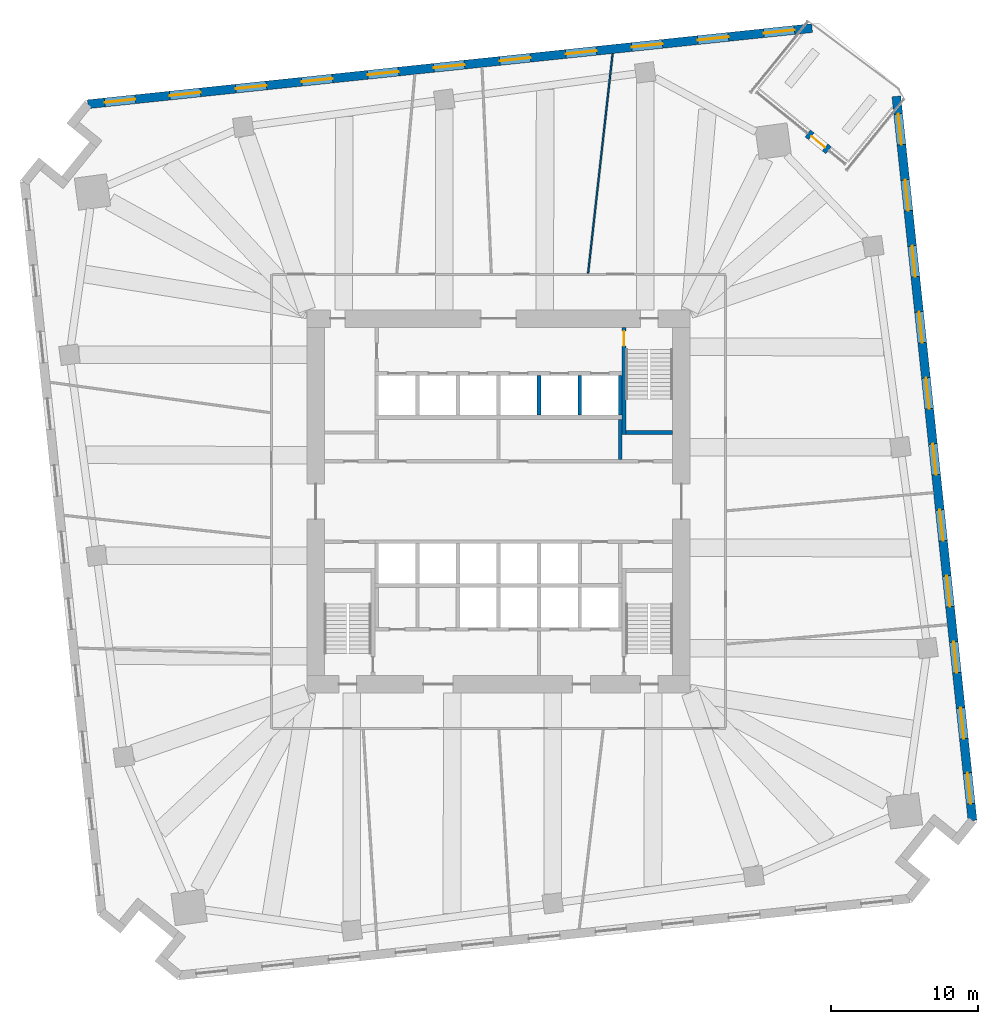
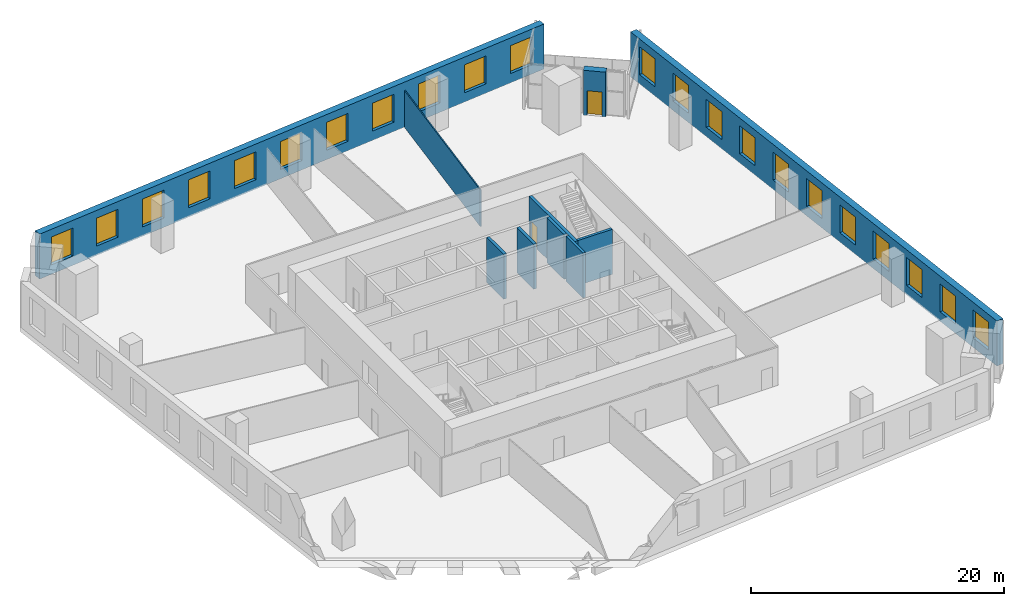
# One storey, part 7 of 10: 22 windows, 10 walls, 2 doors, 24 openings.
"""IFC4 building model written with IfcOpenShell, lengths in metres."""

from ifc_helpers import new_model, si_unit, direction, frame, frame_2d, origin, place, context, subcontext, project, spatial, rectangle, extrude, material, layer, layer_set, type_object, element, fill, save


model = new_model("IFC4")

# Units and contexts
model_context = context("Model", 3, precision=1e-05, world=origin(), true_north=direction((0.0, 1.0)))
body_context = subcontext(model_context, "Body", "Model", "MODEL_VIEW")
ifc_project = project(units=[si_unit("LENGTHUNIT", "METRE"), si_unit("AREAUNIT", "SQUARE_METRE"), si_unit("VOLUMEUNIT", "CUBIC_METRE"), si_unit("PLANEANGLEUNIT", "RADIAN"), si_unit("MASSUNIT", "GRAM", prefix="KILO")], contexts=[model_context])

# Site, building, storey
site_placement = place(None, origin())
site = spatial("IfcSite", under=ifc_project, at=site_placement, CompositionType="ELEMENT")
building_placement = place(site_placement, origin())
building = spatial("IfcBuilding", under=site, at=building_placement, Name="Dilmun Exchange Tower", CompositionType="ELEMENT")
storey_placement = place(building_placement, frame((0.0, 0.0, 41.699951171875)))
storey = spatial("IfcBuildingStorey", under=building, at=storey_placement, Name="L09", CompositionType="ELEMENT", Elevation=41.699951171875)

# Walls
ifc_material_1 = material(Name="Concrete C40/50", Category="concrete")
ifc_layer_1 = layer(ifc_material_1, 0.25)
ifc_layer_set_1 = layer_set([ifc_layer_1], Name="Concrete C40/50")
wall_type_1 = type_object("IfcWallType", Name="Core partition wall 250", PredefinedType="PARTITIONING", material=ifc_layer_set_1)
wall_1_placement = place(storey_placement, frame((8.25, 2.85498046875, 0.0), z_axis=(0.0, 0.0, 1.0), x_axis=(0.0, 1.0, 0.0)))
element("IfcWall", 1, at=wall_1_placement, inside=storey, type_object=wall_type_1, Name="L09 core partition wall 11", PredefinedType="PARTITIONING", context=body_context, shape_type="SweptSolid", body=[
    extrude(rectangle(XDim=2.68994140625, YDim=0.25, at=frame_2d((1.344970703125, 0.0))), origin(), (0.0, 0.0, 1.0), 4.35009765625),
])
ifc_layer_2 = layer(ifc_material_1, 0.25)
ifc_layer_set_2 = layer_set([ifc_layer_2], Name="Concrete C40/50")
wall_type_2 = type_object("IfcWallType", Name="Lift shaft wall 250", PredefinedType="SOLIDWALL", material=ifc_layer_set_2)
for number, where, z_axis, x_axis, name in (
    (2, (2.75, 5.85009765625, 0.0), (0.0, 0.0, 1.0), (0.0, 1.0, 0.0), "L09 lift shaft divider N24"),
    (3, (5.5, 5.85009765625, 0.0), (0.0, 0.0, 1.0), (0.0, 1.0, 0.0), "L09 lift shaft divider N25"),
    (4, (8.25, 5.85009765625, 0.0), (0.0, 0.0, 1.0), (0.0, 1.0, 0.0), "L09 lift shaft divider N26"),
):
    element("IfcWall", number, at=place(storey_placement, frame(where, z_axis=z_axis, x_axis=x_axis)), inside=storey, type_object=wall_type_2, Name=name, PredefinedType="SOLIDWALL", context=body_context, shape_type="SweptSolid", body=[
        extrude(rectangle(XDim=2.699951171875, YDim=0.25, at=frame_2d((1.35009765625, 0.0))), origin(), (0.0, 0.0, 1.0), 4.35009765625),
    ])
ifc_material_2 = material(Name="Partition 100")
ifc_layer_3 = layer(ifc_material_2, 0.10009765625)
ifc_layer_set_3 = layer_set([ifc_layer_3], Name="Partition 100")
wall_type_3 = type_object("IfcWallType", Name="Partition 100", PredefinedType="PARTITIONING", material=ifc_layer_set_3)
wall_2_placement = place(storey_placement, frame((6.073974609375, 15.48046875, 0.0), z_axis=(0.0, 0.0, 1.0), x_axis=(0.110950080777, 0.99382598053, 0.0)))
element("IfcWall", 5, at=wall_2_placement, inside=storey, type_object=wall_type_3, Name="Partition", PredefinedType="PARTITIONING", context=body_context, shape_type="SweptSolid", body=[
    extrude(rectangle(XDim=14.985107421875, YDim=0.10009765625, at=frame_2d((7.49267578125, 0.0))), origin(), (0.0, 0.0, 1.0), 3.550048828125),
])

# Wall, openings, windows
ifc_material_3 = material(Name="Precast concrete C50/60", Category="concrete")
ifc_layer_4 = layer(ifc_material_3, 0.60009765625)
ifc_layer_set_4 = layer_set([ifc_layer_4], Name="Precast concrete C50/60")
wall_type_4 = type_object("IfcWallType", Name="Precast stone-clad wall 600", PredefinedType="STANDARD", material=ifc_layer_set_4)
wall_3_placement = place(storey_placement, frame((21.26123046875, 32.09814453125, 0.0), z_axis=(0.0, 0.0, 1.0), x_axis=(-0.994521967515, -0.104527776833, 0.0)))
wall_3 = element("IfcWall", 6, at=wall_3_placement, inside=storey, type_object=wall_type_4, Name="Facade wall L09-03", PredefinedType="STANDARD", context=body_context, shape_type="SweptSolid", body=[
    extrude(rectangle(XDim=49.375732421875, YDim=0.60009765625, at=frame_2d((24.68798828125, 0.0))), origin(), (0.0, 0.0, 1.0), 4.35009765625),
])
opening_1_placement = place(wall_3_placement, frame((1.199951171875, 0.0, 0.89990234375)))
opening_1 = element("IfcOpeningElement", 7, at=opening_1_placement, cuts=wall_3, Name="Opening W210-270", PredefinedType="OPENING", context=body_context, shape_type="SweptSolid", body=[
    extrude(rectangle(XDim=2.10009765625, YDim=2.699951171875, at=frame_2d((1.050048828125, 1.35009765625))), frame((0.0, 0.31005859375, 0.0), z_axis=(0.0, -1.0, 0.0), x_axis=(1.0, 0.0, 0.0)), (0.0, 0.0, 1.0), 0.6201171875),
])
opening_2_placement = place(wall_3_placement, frame((5.699951171875, 0.0, 0.89990234375)))
opening_2 = element("IfcOpeningElement", 8, at=opening_2_placement, cuts=wall_3, Name="Opening W210-270", PredefinedType="OPENING", context=body_context, shape_type="SweptSolid", body=[
    extrude(rectangle(XDim=2.10009765625, YDim=2.699951171875, at=frame_2d((1.050048828125, 1.35009765625))), frame((0.0, 0.31005859375, 0.0), z_axis=(0.0, -1.0, 0.0), x_axis=(1.0, 0.0, 0.0)), (0.0, 0.0, 1.0), 0.6201171875),
])
opening_3_placement = place(wall_3_placement, frame((10.199951171875, 0.0, 0.89990234375)))
opening_3 = element("IfcOpeningElement", 9, at=opening_3_placement, cuts=wall_3, Name="Opening W210-270", PredefinedType="OPENING", context=body_context, shape_type="SweptSolid", body=[
    extrude(rectangle(XDim=2.10009765625, YDim=2.699951171875, at=frame_2d((1.050048828125, 1.35009765625))), frame((0.0, 0.31005859375, 0.0), z_axis=(0.0, -1.0, 0.0), x_axis=(1.0, 0.0, 0.0)), (0.0, 0.0, 1.0), 0.6201171875),
])
opening_4_placement = place(wall_3_placement, frame((14.699951171875, 0.0, 0.89990234375)))
opening_4 = element("IfcOpeningElement", 10, at=opening_4_placement, cuts=wall_3, Name="Opening W210-270", PredefinedType="OPENING", context=body_context, shape_type="SweptSolid", body=[
    extrude(rectangle(XDim=2.10009765625, YDim=2.699951171875, at=frame_2d((1.050048828125, 1.35009765625))), frame((0.0, 0.31005859375, 0.0), z_axis=(0.0, -1.0, 0.0), x_axis=(1.0, 0.0, 0.0)), (0.0, 0.0, 1.0), 0.6201171875),
])
opening_5_placement = place(wall_3_placement, frame((19.199951171875, 0.0, 0.89990234375)))
opening_5 = element("IfcOpeningElement", 11, at=opening_5_placement, cuts=wall_3, Name="Opening W210-270", PredefinedType="OPENING", context=body_context, shape_type="SweptSolid", body=[
    extrude(rectangle(XDim=2.10009765625, YDim=2.699951171875, at=frame_2d((1.050048828125, 1.35009765625))), frame((0.0, 0.31005859375, 0.0), z_axis=(0.0, -1.0, 0.0), x_axis=(1.0, 0.0, 0.0)), (0.0, 0.0, 1.0), 0.6201171875),
])
opening_6_placement = place(wall_3_placement, frame((23.699951171875, 0.0, 0.89990234375)))
opening_6 = element("IfcOpeningElement", 12, at=opening_6_placement, cuts=wall_3, Name="Opening W210-270", PredefinedType="OPENING", context=body_context, shape_type="SweptSolid", body=[
    extrude(rectangle(XDim=2.10009765625, YDim=2.699951171875, at=frame_2d((1.050048828125, 1.35009765625))), frame((0.0, 0.31005859375, 0.0), z_axis=(0.0, -1.0, 0.0), x_axis=(1.0, 0.0, 0.0)), (0.0, 0.0, 1.0), 0.6201171875),
])
opening_7_placement = place(wall_3_placement, frame((28.199951171875, 0.0, 0.89990234375)))
opening_7 = element("IfcOpeningElement", 13, at=opening_7_placement, cuts=wall_3, Name="Opening W210-270", PredefinedType="OPENING", context=body_context, shape_type="SweptSolid", body=[
    extrude(rectangle(XDim=2.10009765625, YDim=2.699951171875, at=frame_2d((1.050048828125, 1.35009765625))), frame((0.0, 0.31005859375, 0.0), z_axis=(0.0, -1.0, 0.0), x_axis=(1.0, 0.0, 0.0)), (0.0, 0.0, 1.0), 0.6201171875),
])
opening_8_placement = place(wall_3_placement, frame((32.699951171875, 0.0, 0.89990234375)))
opening_8 = element("IfcOpeningElement", 14, at=opening_8_placement, cuts=wall_3, Name="Opening W210-270", PredefinedType="OPENING", context=body_context, shape_type="SweptSolid", body=[
    extrude(rectangle(XDim=2.10009765625, YDim=2.699951171875, at=frame_2d((1.050048828125, 1.35009765625))), frame((0.0, 0.31005859375, 0.0), z_axis=(0.0, -1.0, 0.0), x_axis=(1.0, 0.0, 0.0)), (0.0, 0.0, 1.0), 0.6201171875),
])
opening_9_placement = place(wall_3_placement, frame((37.199951171875, 0.0, 0.89990234375)))
opening_9 = element("IfcOpeningElement", 15, at=opening_9_placement, cuts=wall_3, Name="Opening W210-270", PredefinedType="OPENING", context=body_context, shape_type="SweptSolid", body=[
    extrude(rectangle(XDim=2.10009765625, YDim=2.699951171875, at=frame_2d((1.050048828125, 1.35009765625))), frame((0.0, 0.31005859375, 0.0), z_axis=(0.0, -1.0, 0.0), x_axis=(1.0, 0.0, 0.0)), (0.0, 0.0, 1.0), 0.6201171875),
])
opening_10_placement = place(wall_3_placement, frame((41.699951171875, 0.0, 0.89990234375)))
opening_10 = element("IfcOpeningElement", 16, at=opening_10_placement, cuts=wall_3, Name="Opening W210-270", PredefinedType="OPENING", context=body_context, shape_type="SweptSolid", body=[
    extrude(rectangle(XDim=2.10009765625, YDim=2.699951171875, at=frame_2d((1.050048828125, 1.35009765625))), frame((0.0, 0.31005859375, 0.0), z_axis=(0.0, -1.0, 0.0), x_axis=(1.0, 0.0, 0.0)), (0.0, 0.0, 1.0), 0.6201171875),
])
opening_11_placement = place(wall_3_placement, frame((46.137939453125, 0.0, 0.89990234375)))
opening_11 = element("IfcOpeningElement", 17, at=opening_11_placement, cuts=wall_3, Name="Opening W210-270", PredefinedType="OPENING", context=body_context, shape_type="SweptSolid", body=[
    extrude(rectangle(XDim=2.10009765625, YDim=2.699951171875, at=frame_2d((1.050048828125, 1.35009765625))), frame((0.0, 0.31005859375, 0.0), z_axis=(0.0, -1.0, 0.0), x_axis=(1.0, 0.0, 0.0)), (0.0, 0.0, 1.0), 0.6201171875),
])
ifc_material_4 = material(Name="Clear low-emissivity glass in aluminium frame", Category="aluminium")
window_type = type_object("IfcWindowType", Name="Punched window 2100 x 2700", PartitioningType="DOUBLE_PANEL_VERTICAL", PredefinedType="WINDOW", material=ifc_material_4)
window_1_placement = place(opening_1_placement, origin())
window_1 = element("IfcWindow", 18, at=window_1_placement, inside=storey, type_object=window_type, Name="Window 4.1", OverallHeight=2.699951171875, OverallWidth=2.10009765625, PartitioningType="SINGLE_PANEL", PredefinedType="WINDOW", context=body_context, shape_type="SweptSolid", body=[
    extrude(rectangle(XDim=2.10009765625, YDim=2.699951171875, at=frame_2d((1.050048828125, 1.35009765625))), frame((0.0, 0.030029296875, 0.0), z_axis=(0.0, -1.0, 0.0), x_axis=(1.0, 0.0, 0.0)), (0.0, 0.0, 1.0), 0.06005859375),
])
fill(opening_1, window_1)
window_2_placement = place(opening_2_placement, origin())
window_2 = element("IfcWindow", 19, at=window_2_placement, inside=storey, type_object=window_type, Name="Window 4.2", OverallHeight=2.699951171875, OverallWidth=2.10009765625, PartitioningType="SINGLE_PANEL", PredefinedType="WINDOW", context=body_context, shape_type="SweptSolid", body=[
    extrude(rectangle(XDim=2.10009765625, YDim=2.699951171875, at=frame_2d((1.050048828125, 1.35009765625))), frame((0.0, 0.030029296875, 0.0), z_axis=(0.0, -1.0, 0.0), x_axis=(1.0, 0.0, 0.0)), (0.0, 0.0, 1.0), 0.06005859375),
])
fill(opening_2, window_2)
window_3_placement = place(opening_3_placement, origin())
window_3 = element("IfcWindow", 20, at=window_3_placement, inside=storey, type_object=window_type, Name="Window 4.3", OverallHeight=2.699951171875, OverallWidth=2.10009765625, PartitioningType="SINGLE_PANEL", PredefinedType="WINDOW", context=body_context, shape_type="SweptSolid", body=[
    extrude(rectangle(XDim=2.10009765625, YDim=2.699951171875, at=frame_2d((1.050048828125, 1.35009765625))), frame((0.0, 0.030029296875, 0.0), z_axis=(0.0, -1.0, 0.0), x_axis=(1.0, 0.0, 0.0)), (0.0, 0.0, 1.0), 0.06005859375),
])
fill(opening_3, window_3)
window_4_placement = place(opening_4_placement, origin())
window_4 = element("IfcWindow", 21, at=window_4_placement, inside=storey, type_object=window_type, Name="Window 4.4", OverallHeight=2.699951171875, OverallWidth=2.10009765625, PartitioningType="SINGLE_PANEL", PredefinedType="WINDOW", context=body_context, shape_type="SweptSolid", body=[
    extrude(rectangle(XDim=2.10009765625, YDim=2.699951171875, at=frame_2d((1.050048828125, 1.35009765625))), frame((0.0, 0.030029296875, 0.0), z_axis=(0.0, -1.0, 0.0), x_axis=(1.0, 0.0, 0.0)), (0.0, 0.0, 1.0), 0.06005859375),
])
fill(opening_4, window_4)
window_5_placement = place(opening_5_placement, origin())
window_5 = element("IfcWindow", 22, at=window_5_placement, inside=storey, type_object=window_type, Name="Window 4.5", OverallHeight=2.699951171875, OverallWidth=2.10009765625, PartitioningType="SINGLE_PANEL", PredefinedType="WINDOW", context=body_context, shape_type="SweptSolid", body=[
    extrude(rectangle(XDim=2.10009765625, YDim=2.699951171875, at=frame_2d((1.050048828125, 1.35009765625))), frame((0.0, 0.030029296875, 0.0), z_axis=(0.0, -1.0, 0.0), x_axis=(1.0, 0.0, 0.0)), (0.0, 0.0, 1.0), 0.06005859375),
])
fill(opening_5, window_5)
window_6_placement = place(opening_6_placement, origin())
window_6 = element("IfcWindow", 23, at=window_6_placement, inside=storey, type_object=window_type, Name="Window 4.6", OverallHeight=2.699951171875, OverallWidth=2.10009765625, PartitioningType="SINGLE_PANEL", PredefinedType="WINDOW", context=body_context, shape_type="SweptSolid", body=[
    extrude(rectangle(XDim=2.10009765625, YDim=2.699951171875, at=frame_2d((1.050048828125, 1.35009765625))), frame((0.0, 0.030029296875, 0.0), z_axis=(0.0, -1.0, 0.0), x_axis=(1.0, 0.0, 0.0)), (0.0, 0.0, 1.0), 0.06005859375),
])
fill(opening_6, window_6)
window_7_placement = place(opening_7_placement, origin())
window_7 = element("IfcWindow", 24, at=window_7_placement, inside=storey, type_object=window_type, Name="Window 4.7", OverallHeight=2.699951171875, OverallWidth=2.10009765625, PartitioningType="SINGLE_PANEL", PredefinedType="WINDOW", context=body_context, shape_type="SweptSolid", body=[
    extrude(rectangle(XDim=2.10009765625, YDim=2.699951171875, at=frame_2d((1.050048828125, 1.35009765625))), frame((0.0, 0.030029296875, 0.0), z_axis=(0.0, -1.0, 0.0), x_axis=(1.0, 0.0, 0.0)), (0.0, 0.0, 1.0), 0.06005859375),
])
fill(opening_7, window_7)
window_8_placement = place(opening_8_placement, origin())
window_8 = element("IfcWindow", 25, at=window_8_placement, inside=storey, type_object=window_type, Name="Window 4.8", OverallHeight=2.699951171875, OverallWidth=2.10009765625, PartitioningType="SINGLE_PANEL", PredefinedType="WINDOW", context=body_context, shape_type="SweptSolid", body=[
    extrude(rectangle(XDim=2.10009765625, YDim=2.699951171875, at=frame_2d((1.050048828125, 1.35009765625))), frame((0.0, 0.030029296875, 0.0), z_axis=(0.0, -1.0, 0.0), x_axis=(1.0, 0.0, 0.0)), (0.0, 0.0, 1.0), 0.06005859375),
])
fill(opening_8, window_8)
window_9_placement = place(opening_9_placement, origin())
window_9 = element("IfcWindow", 26, at=window_9_placement, inside=storey, type_object=window_type, Name="Window 4.9", OverallHeight=2.699951171875, OverallWidth=2.10009765625, PartitioningType="SINGLE_PANEL", PredefinedType="WINDOW", context=body_context, shape_type="SweptSolid", body=[
    extrude(rectangle(XDim=2.10009765625, YDim=2.699951171875, at=frame_2d((1.050048828125, 1.35009765625))), frame((0.0, 0.030029296875, 0.0), z_axis=(0.0, -1.0, 0.0), x_axis=(1.0, 0.0, 0.0)), (0.0, 0.0, 1.0), 0.06005859375),
])
fill(opening_9, window_9)
window_10_placement = place(opening_10_placement, origin())
window_10 = element("IfcWindow", 27, at=window_10_placement, inside=storey, type_object=window_type, Name="Window 4.10", OverallHeight=2.699951171875, OverallWidth=2.10009765625, PartitioningType="SINGLE_PANEL", PredefinedType="WINDOW", context=body_context, shape_type="SweptSolid", body=[
    extrude(rectangle(XDim=2.10009765625, YDim=2.699951171875, at=frame_2d((1.050048828125, 1.35009765625))), frame((0.0, 0.030029296875, 0.0), z_axis=(0.0, -1.0, 0.0), x_axis=(1.0, 0.0, 0.0)), (0.0, 0.0, 1.0), 0.06005859375),
])
fill(opening_10, window_10)
window_11_placement = place(opening_11_placement, origin())
window_11 = element("IfcWindow", 28, at=window_11_placement, inside=storey, type_object=window_type, Name="Window 4.11", OverallHeight=2.699951171875, OverallWidth=2.10009765625, PartitioningType="SINGLE_PANEL", PredefinedType="WINDOW", context=body_context, shape_type="SweptSolid", body=[
    extrude(rectangle(XDim=2.10009765625, YDim=2.699951171875, at=frame_2d((1.050048828125, 1.35009765625))), frame((0.0, 0.030029296875, 0.0), z_axis=(0.0, -1.0, 0.0), x_axis=(1.0, 0.0, 0.0)), (0.0, 0.0, 1.0), 0.06005859375),
])
fill(opening_11, window_11)

wall_4_placement = place(storey_placement, frame((32.137451171875, -21.635009765625, 0.0), z_axis=(0.0, 0.0, 1.0), x_axis=(-0.104527776833, 0.994521967515, 0.0)))
wall_4 = element("IfcWall", 29, at=wall_4_placement, inside=storey, type_object=wall_type_4, Name="Facade wall L09-21", PredefinedType="STANDARD", context=body_context, shape_type="SweptSolid", body=[
    extrude(rectangle(XDim=49.375732421875, YDim=0.60009765625, at=frame_2d((24.68798828125, 0.0))), origin(), (0.0, 0.0, 1.0), 4.35009765625),
])
opening_12_placement = place(wall_4_placement, frame((1.137939453125, 0.0, 0.89990234375)))
opening_12 = element("IfcOpeningElement", 30, at=opening_12_placement, cuts=wall_4, Name="Opening W210-270", PredefinedType="OPENING", context=body_context, shape_type="SweptSolid", body=[
    extrude(rectangle(XDim=2.10009765625, YDim=2.699951171875, at=frame_2d((1.050048828125, 1.35009765625))), frame((0.0, 0.31005859375, 0.0), z_axis=(0.0, -1.0, 0.0), x_axis=(1.0, 0.0, 0.0)), (0.0, 0.0, 1.0), 0.6201171875),
])
opening_13_placement = place(wall_4_placement, frame((5.57568359375, 0.0, 0.89990234375)))
opening_13 = element("IfcOpeningElement", 31, at=opening_13_placement, cuts=wall_4, Name="Opening W210-270", PredefinedType="OPENING", context=body_context, shape_type="SweptSolid", body=[
    extrude(rectangle(XDim=2.10009765625, YDim=2.699951171875, at=frame_2d((1.050048828125, 1.35009765625))), frame((0.0, 0.31005859375, 0.0), z_axis=(0.0, -1.0, 0.0), x_axis=(1.0, 0.0, 0.0)), (0.0, 0.0, 1.0), 0.6201171875),
])
opening_14_placement = place(wall_4_placement, frame((10.07568359375, 0.0, 0.89990234375)))
opening_14 = element("IfcOpeningElement", 32, at=opening_14_placement, cuts=wall_4, Name="Opening W210-270", PredefinedType="OPENING", context=body_context, shape_type="SweptSolid", body=[
    extrude(rectangle(XDim=2.10009765625, YDim=2.699951171875, at=frame_2d((1.050048828125, 1.35009765625))), frame((0.0, 0.31005859375, 0.0), z_axis=(0.0, -1.0, 0.0), x_axis=(1.0, 0.0, 0.0)), (0.0, 0.0, 1.0), 0.6201171875),
])
opening_15_placement = place(wall_4_placement, frame((14.57568359375, 0.0, 0.89990234375)))
opening_15 = element("IfcOpeningElement", 33, at=opening_15_placement, cuts=wall_4, Name="Opening W210-270", PredefinedType="OPENING", context=body_context, shape_type="SweptSolid", body=[
    extrude(rectangle(XDim=2.10009765625, YDim=2.699951171875, at=frame_2d((1.050048828125, 1.35009765625))), frame((0.0, 0.31005859375, 0.0), z_axis=(0.0, -1.0, 0.0), x_axis=(1.0, 0.0, 0.0)), (0.0, 0.0, 1.0), 0.6201171875),
])
opening_16_placement = place(wall_4_placement, frame((19.07568359375, 0.0, 0.89990234375)))
opening_16 = element("IfcOpeningElement", 34, at=opening_16_placement, cuts=wall_4, Name="Opening W210-270", PredefinedType="OPENING", context=body_context, shape_type="SweptSolid", body=[
    extrude(rectangle(XDim=2.10009765625, YDim=2.699951171875, at=frame_2d((1.050048828125, 1.35009765625))), frame((0.0, 0.31005859375, 0.0), z_axis=(0.0, -1.0, 0.0), x_axis=(1.0, 0.0, 0.0)), (0.0, 0.0, 1.0), 0.6201171875),
])
opening_17_placement = place(wall_4_placement, frame((23.57568359375, 0.0, 0.89990234375)))
opening_17 = element("IfcOpeningElement", 35, at=opening_17_placement, cuts=wall_4, Name="Opening W210-270", PredefinedType="OPENING", context=body_context, shape_type="SweptSolid", body=[
    extrude(rectangle(XDim=2.10009765625, YDim=2.699951171875, at=frame_2d((1.050048828125, 1.35009765625))), frame((0.0, 0.31005859375, 0.0), z_axis=(0.0, -1.0, 0.0), x_axis=(1.0, 0.0, 0.0)), (0.0, 0.0, 1.0), 0.6201171875),
])
opening_18_placement = place(wall_4_placement, frame((28.07568359375, 0.0, 0.89990234375)))
opening_18 = element("IfcOpeningElement", 36, at=opening_18_placement, cuts=wall_4, Name="Opening W210-270", PredefinedType="OPENING", context=body_context, shape_type="SweptSolid", body=[
    extrude(rectangle(XDim=2.10009765625, YDim=2.699951171875, at=frame_2d((1.050048828125, 1.35009765625))), frame((0.0, 0.31005859375, 0.0), z_axis=(0.0, -1.0, 0.0), x_axis=(1.0, 0.0, 0.0)), (0.0, 0.0, 1.0), 0.6201171875),
])
opening_19_placement = place(wall_4_placement, frame((32.57568359375, 0.0, 0.89990234375)))
opening_19 = element("IfcOpeningElement", 37, at=opening_19_placement, cuts=wall_4, Name="Opening W210-270", PredefinedType="OPENING", context=body_context, shape_type="SweptSolid", body=[
    extrude(rectangle(XDim=2.10009765625, YDim=2.699951171875, at=frame_2d((1.050048828125, 1.35009765625))), frame((0.0, 0.31005859375, 0.0), z_axis=(0.0, -1.0, 0.0), x_axis=(1.0, 0.0, 0.0)), (0.0, 0.0, 1.0), 0.6201171875),
])
opening_20_placement = place(wall_4_placement, frame((37.07568359375, 0.0, 0.89990234375)))
opening_20 = element("IfcOpeningElement", 38, at=opening_20_placement, cuts=wall_4, Name="Opening W210-270", PredefinedType="OPENING", context=body_context, shape_type="SweptSolid", body=[
    extrude(rectangle(XDim=2.10009765625, YDim=2.699951171875, at=frame_2d((1.050048828125, 1.35009765625))), frame((0.0, 0.31005859375, 0.0), z_axis=(0.0, -1.0, 0.0), x_axis=(1.0, 0.0, 0.0)), (0.0, 0.0, 1.0), 0.6201171875),
])
opening_21_placement = place(wall_4_placement, frame((41.57568359375, 0.0, 0.89990234375)))
opening_21 = element("IfcOpeningElement", 39, at=opening_21_placement, cuts=wall_4, Name="Opening W210-270", PredefinedType="OPENING", context=body_context, shape_type="SweptSolid", body=[
    extrude(rectangle(XDim=2.10009765625, YDim=2.699951171875, at=frame_2d((1.050048828125, 1.35009765625))), frame((0.0, 0.31005859375, 0.0), z_axis=(0.0, -1.0, 0.0), x_axis=(1.0, 0.0, 0.0)), (0.0, 0.0, 1.0), 0.6201171875),
])
opening_22_placement = place(wall_4_placement, frame((46.07568359375, 0.0, 0.89990234375)))
opening_22 = element("IfcOpeningElement", 40, at=opening_22_placement, cuts=wall_4, Name="Opening W210-270", PredefinedType="OPENING", context=body_context, shape_type="SweptSolid", body=[
    extrude(rectangle(XDim=2.10009765625, YDim=2.699951171875, at=frame_2d((1.050048828125, 1.35009765625))), frame((0.0, 0.31005859375, 0.0), z_axis=(0.0, -1.0, 0.0), x_axis=(1.0, 0.0, 0.0)), (0.0, 0.0, 1.0), 0.6201171875),
])
window_12_placement = place(opening_12_placement, origin())
window_12 = element("IfcWindow", 41, at=window_12_placement, inside=storey, type_object=window_type, Name="Window 22.1", OverallHeight=2.699951171875, OverallWidth=2.10009765625, PartitioningType="SINGLE_PANEL", PredefinedType="WINDOW", context=body_context, shape_type="SweptSolid", body=[
    extrude(rectangle(XDim=2.10009765625, YDim=2.699951171875, at=frame_2d((1.050048828125, 1.35009765625))), frame((0.0, 0.030029296875, 0.0), z_axis=(0.0, -1.0, 0.0), x_axis=(1.0, 0.0, 0.0)), (0.0, 0.0, 1.0), 0.06005859375),
])
fill(opening_12, window_12)
window_13_placement = place(opening_13_placement, origin())
window_13 = element("IfcWindow", 42, at=window_13_placement, inside=storey, type_object=window_type, Name="Window 22.2", OverallHeight=2.699951171875, OverallWidth=2.10009765625, PartitioningType="SINGLE_PANEL", PredefinedType="WINDOW", context=body_context, shape_type="SweptSolid", body=[
    extrude(rectangle(XDim=2.10009765625, YDim=2.699951171875, at=frame_2d((1.050048828125, 1.35009765625))), frame((0.0, 0.030029296875, 0.0), z_axis=(0.0, -1.0, 0.0), x_axis=(1.0, 0.0, 0.0)), (0.0, 0.0, 1.0), 0.06005859375),
])
fill(opening_13, window_13)
window_14_placement = place(opening_14_placement, origin())
window_14 = element("IfcWindow", 43, at=window_14_placement, inside=storey, type_object=window_type, Name="Window 22.3", OverallHeight=2.699951171875, OverallWidth=2.10009765625, PartitioningType="SINGLE_PANEL", PredefinedType="WINDOW", context=body_context, shape_type="SweptSolid", body=[
    extrude(rectangle(XDim=2.10009765625, YDim=2.699951171875, at=frame_2d((1.050048828125, 1.35009765625))), frame((0.0, 0.030029296875, 0.0), z_axis=(0.0, -1.0, 0.0), x_axis=(1.0, 0.0, 0.0)), (0.0, 0.0, 1.0), 0.06005859375),
])
fill(opening_14, window_14)
window_15_placement = place(opening_15_placement, origin())
window_15 = element("IfcWindow", 44, at=window_15_placement, inside=storey, type_object=window_type, Name="Window 22.4", OverallHeight=2.699951171875, OverallWidth=2.10009765625, PartitioningType="SINGLE_PANEL", PredefinedType="WINDOW", context=body_context, shape_type="SweptSolid", body=[
    extrude(rectangle(XDim=2.10009765625, YDim=2.699951171875, at=frame_2d((1.050048828125, 1.35009765625))), frame((0.0, 0.030029296875, 0.0), z_axis=(0.0, -1.0, 0.0), x_axis=(1.0, 0.0, 0.0)), (0.0, 0.0, 1.0), 0.06005859375),
])
fill(opening_15, window_15)
window_16_placement = place(opening_16_placement, origin())
window_16 = element("IfcWindow", 45, at=window_16_placement, inside=storey, type_object=window_type, Name="Window 22.5", OverallHeight=2.699951171875, OverallWidth=2.10009765625, PartitioningType="SINGLE_PANEL", PredefinedType="WINDOW", context=body_context, shape_type="SweptSolid", body=[
    extrude(rectangle(XDim=2.10009765625, YDim=2.699951171875, at=frame_2d((1.050048828125, 1.35009765625))), frame((0.0, 0.030029296875, 0.0), z_axis=(0.0, -1.0, 0.0), x_axis=(1.0, 0.0, 0.0)), (0.0, 0.0, 1.0), 0.06005859375),
])
fill(opening_16, window_16)
window_17_placement = place(opening_17_placement, origin())
window_17 = element("IfcWindow", 46, at=window_17_placement, inside=storey, type_object=window_type, Name="Window 22.6", OverallHeight=2.699951171875, OverallWidth=2.10009765625, PartitioningType="SINGLE_PANEL", PredefinedType="WINDOW", context=body_context, shape_type="SweptSolid", body=[
    extrude(rectangle(XDim=2.10009765625, YDim=2.699951171875, at=frame_2d((1.050048828125, 1.35009765625))), frame((0.0, 0.030029296875, 0.0), z_axis=(0.0, -1.0, 0.0), x_axis=(1.0, 0.0, 0.0)), (0.0, 0.0, 1.0), 0.06005859375),
])
fill(opening_17, window_17)
window_18_placement = place(opening_18_placement, origin())
window_18 = element("IfcWindow", 47, at=window_18_placement, inside=storey, type_object=window_type, Name="Window 22.7", OverallHeight=2.699951171875, OverallWidth=2.10009765625, PartitioningType="SINGLE_PANEL", PredefinedType="WINDOW", context=body_context, shape_type="SweptSolid", body=[
    extrude(rectangle(XDim=2.10009765625, YDim=2.699951171875, at=frame_2d((1.050048828125, 1.35009765625))), frame((0.0, 0.030029296875, 0.0), z_axis=(0.0, -1.0, 0.0), x_axis=(1.0, 0.0, 0.0)), (0.0, 0.0, 1.0), 0.06005859375),
])
fill(opening_18, window_18)
window_19_placement = place(opening_19_placement, origin())
window_19 = element("IfcWindow", 48, at=window_19_placement, inside=storey, type_object=window_type, Name="Window 22.8", OverallHeight=2.699951171875, OverallWidth=2.10009765625, PartitioningType="SINGLE_PANEL", PredefinedType="WINDOW", context=body_context, shape_type="SweptSolid", body=[
    extrude(rectangle(XDim=2.10009765625, YDim=2.699951171875, at=frame_2d((1.050048828125, 1.35009765625))), frame((0.0, 0.030029296875, 0.0), z_axis=(0.0, -1.0, 0.0), x_axis=(1.0, 0.0, 0.0)), (0.0, 0.0, 1.0), 0.06005859375),
])
fill(opening_19, window_19)
window_20_placement = place(opening_20_placement, origin())
window_20 = element("IfcWindow", 49, at=window_20_placement, inside=storey, type_object=window_type, Name="Window 22.9", OverallHeight=2.699951171875, OverallWidth=2.10009765625, PartitioningType="SINGLE_PANEL", PredefinedType="WINDOW", context=body_context, shape_type="SweptSolid", body=[
    extrude(rectangle(XDim=2.10009765625, YDim=2.699951171875, at=frame_2d((1.050048828125, 1.35009765625))), frame((0.0, 0.030029296875, 0.0), z_axis=(0.0, -1.0, 0.0), x_axis=(1.0, 0.0, 0.0)), (0.0, 0.0, 1.0), 0.06005859375),
])
fill(opening_20, window_20)
window_21_placement = place(opening_21_placement, origin())
window_21 = element("IfcWindow", 50, at=window_21_placement, inside=storey, type_object=window_type, Name="Window 22.10", OverallHeight=2.699951171875, OverallWidth=2.10009765625, PartitioningType="SINGLE_PANEL", PredefinedType="WINDOW", context=body_context, shape_type="SweptSolid", body=[
    extrude(rectangle(XDim=2.10009765625, YDim=2.699951171875, at=frame_2d((1.050048828125, 1.35009765625))), frame((0.0, 0.030029296875, 0.0), z_axis=(0.0, -1.0, 0.0), x_axis=(1.0, 0.0, 0.0)), (0.0, 0.0, 1.0), 0.06005859375),
])
fill(opening_21, window_21)
window_22_placement = place(opening_22_placement, origin())
window_22 = element("IfcWindow", 51, at=window_22_placement, inside=storey, type_object=window_type, Name="Window 22.11", OverallHeight=2.699951171875, OverallWidth=2.10009765625, PartitioningType="SINGLE_PANEL", PredefinedType="WINDOW", context=body_context, shape_type="SweptSolid", body=[
    extrude(rectangle(XDim=2.10009765625, YDim=2.699951171875, at=frame_2d((1.050048828125, 1.35009765625))), frame((0.0, 0.030029296875, 0.0), z_axis=(0.0, -1.0, 0.0), x_axis=(1.0, 0.0, 0.0)), (0.0, 0.0, 1.0), 0.06005859375),
])
fill(opening_22, window_22)

# Wall, opening, door
wall_5_placement = place(storey_placement, frame((22.375244140625, 23.8173828125, 0.0), z_axis=(0.0, 0.0, 1.0), x_axis=(-0.777150107882, 0.629315270606, 0.0)))
wall_5 = element("IfcWall", 52, at=wall_5_placement, inside=storey, type_object=wall_type_4, Name="Facade wall L09-01-D", PredefinedType="STANDARD", context=body_context, shape_type="SweptSolid", body=[
    extrude(rectangle(XDim=1.800048828125, YDim=0.60009765625, at=frame_2d((0.89990234375, 0.0))), origin(), (0.0, 0.0, 1.0), 4.35009765625),
])
opening_23_placement = place(wall_5_placement, frame((0.300048828125, 0.0, 0.0)))
opening_23 = element("IfcOpeningElement", 53, at=opening_23_placement, cuts=wall_5, Name="Opening GD-1", PredefinedType="OPENING", context=body_context, shape_type="SweptSolid", body=[
    extrude(rectangle(XDim=1.199951171875, YDim=2.39990234375, at=frame_2d((0.60009765625, 1.199951171875))), frame((0.0, 0.31005859375, 0.0), z_axis=(0.0, -1.0, 0.0), x_axis=(1.0, 0.0, 0.0)), (0.0, 0.0, 1.0), 0.6201171875),
])
door_type_1 = type_object("IfcDoorType", Name="Glazed garden door 1200 x 2400", OperationType="SINGLE_SWING_LEFT", PredefinedType="DOOR", material=ifc_material_4)
door_1_placement = place(opening_23_placement, origin())
door_1 = element("IfcDoor", 54, at=door_1_placement, inside=storey, type_object=door_type_1, Name="Garden terrace door", OperationType="SINGLE_SWING_LEFT", OverallHeight=2.39990234375, OverallWidth=1.199951171875, PredefinedType="DOOR", context=body_context, shape_type="SweptSolid", body=[
    extrude(rectangle(XDim=1.199951171875, YDim=2.39990234375, at=frame_2d((0.60009765625, 1.199951171875))), frame((0.0, 0.02490234375, 0.0), z_axis=(0.0, -1.0, 0.0), x_axis=(1.0, 0.0, 0.0)), (0.0, 0.0, 1.0), 0.050048828125),
])
fill(opening_23, door_1)

# Wall
ifc_layer_5 = layer(ifc_material_1, 0.25)
ifc_layer_set_5 = layer_set([ifc_layer_5], Name="Concrete C40/50")
wall_type_5 = type_object("IfcWallType", Name="Stair end wall 250", PredefinedType="SOLIDWALL", material=ifc_layer_set_5)
wall_6_placement = place(storey_placement, frame((8.64990234375, 4.675048828125, 0.0), z_axis=(0.0, 0.0, 1.0), x_axis=(1.0, 0.0, 0.0)))
element("IfcWall", 55, at=wall_6_placement, inside=storey, type_object=wall_type_5, Name="L09 ST1 far wall", PredefinedType="SOLIDWALL", context=body_context, shape_type="SweptSolid", body=[
    extrude(rectangle(XDim=3.150146484375, YDim=0.25, at=frame_2d((1.5751953125, 0.0))), origin(), (0.0, 0.0, 1.0), 4.35009765625),
])

# Wall, opening, door
ifc_layer_6 = layer(ifc_material_1, 0.27490234375)
ifc_layer_set_6 = layer_set([ifc_layer_6], Name="Concrete C40/50")
wall_type_6 = type_object("IfcWallType", Name="Stair wall 275", PredefinedType="SOLIDWALL", material=ifc_layer_set_6)
wall_7_placement = place(storey_placement, frame((8.512451171875, 4.550048828125, 0.0), z_axis=(0.0, 0.0, 1.0), x_axis=(0.0, 1.0, 0.0)))
wall_7 = element("IfcWall", 56, at=wall_7_placement, inside=storey, type_object=wall_type_6, Name="L09 ST1 wall to lift block", PredefinedType="SOLIDWALL", context=body_context, shape_type="SweptSolid", body=[
    extrude(rectangle(XDim=7.25, YDim=0.27490234375, at=frame_2d((3.625, 0.0))), origin(), (0.0, 0.0, 1.0), 4.35009765625),
])
opening_24_placement = place(wall_7_placement, frame((6.0, 0.0, 0.0)))
opening_24 = element("IfcOpeningElement", 57, at=opening_24_placement, cuts=wall_7, Name="Opening CD4", PredefinedType="OPENING", context=body_context, shape_type="SweptSolid", body=[
    extrude(rectangle(XDim=1.0, YDim=2.10009765625, at=frame_2d((0.5, 1.050048828125))), frame((0.0, 0.1474609375, 0.0), z_axis=(0.0, -1.0, 0.0), x_axis=(1.0, 0.0, 0.0)), (0.0, 0.0, 1.0), 0.294921875),
])
ifc_material_5 = material(Name="Fire-rated steel door set", Category="steel")
door_type_2 = type_object("IfcDoorType", Name="Core room door 1000x2100", OperationType="SINGLE_SWING_LEFT", PredefinedType="DOOR", material=ifc_material_5)
door_2_placement = place(opening_24_placement, origin())
door_2 = element("IfcDoor", 58, at=door_2_placement, inside=storey, type_object=door_type_2, Name="L09 door ST1 from lobby", OperationType="SINGLE_SWING_LEFT", OverallHeight=2.10009765625, OverallWidth=1.0, PredefinedType="DOOR", context=body_context, shape_type="SweptSolid", body=[
    extrude(rectangle(XDim=1.0, YDim=2.10009765625, at=frame_2d((0.5, 1.050048828125))), frame((0.0, 0.02490234375, 0.0), z_axis=(0.0, -1.0, 0.0), x_axis=(1.0, 0.0, 0.0)), (0.0, 0.0, 1.0), 0.050048828125),
])
fill(opening_24, door_2)

save(model, "model.ifc")
